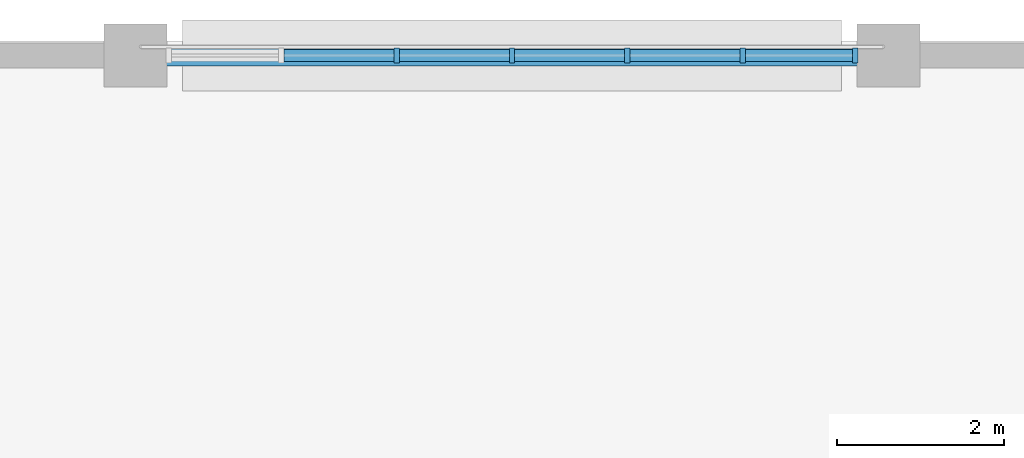
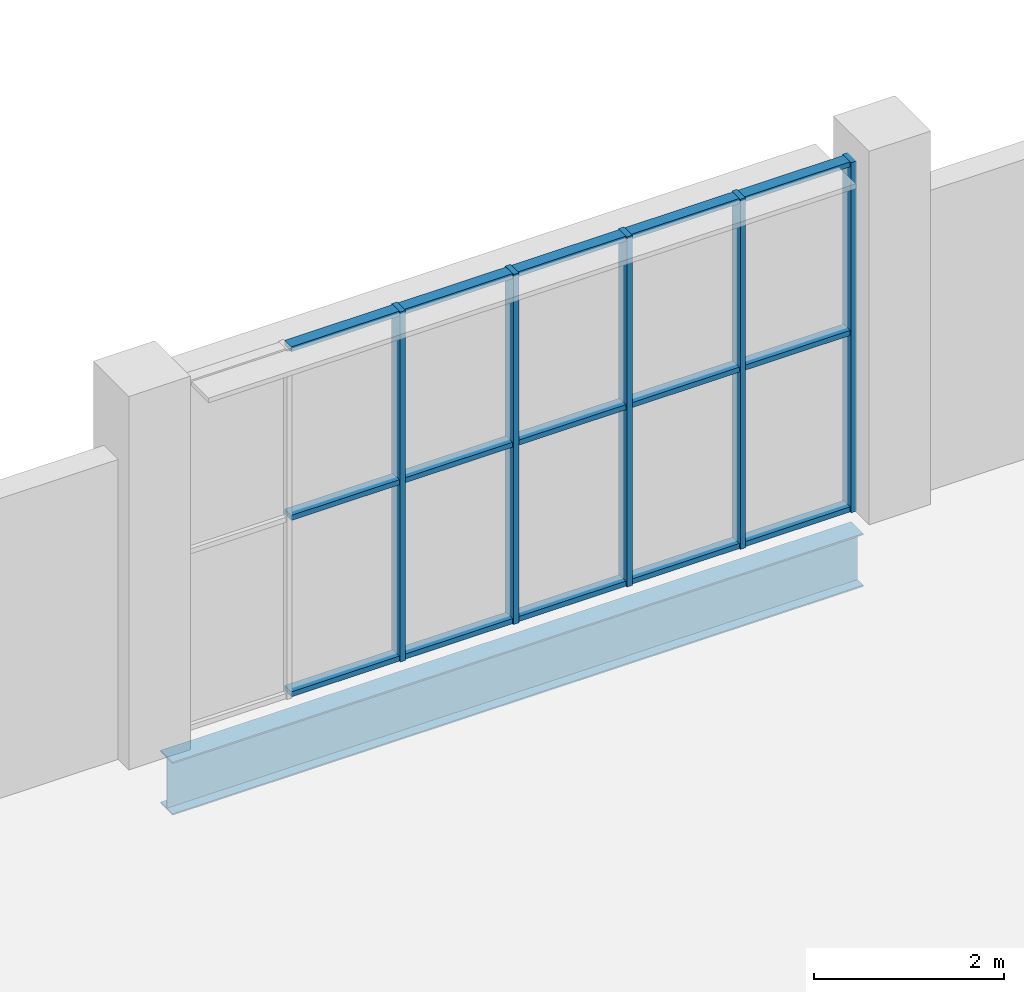
# One storey, part 70 of 179: 20 members, 1 beam, 1 element without a shape of its own.
"""IFC4 building model written with IfcOpenShell, lengths in metres."""

from ifc_helpers import new_model, si_unit, direction, frame, origin, origin_2d, place, context, subcontext, project, spatial, rectangle, i_section, extrude, material, material_profile, profile_set, type_object, element, aggregate, save


model = new_model("IFC4")

# Units and contexts
model_context = context("Model", 3, precision=1e-05, world=origin(), true_north=direction((0.0, 1.0)))
body_context = subcontext(model_context, "Body", "Model", "MODEL_VIEW")
ifc_project = project(units=[si_unit("LENGTHUNIT", "METRE"), si_unit("AREAUNIT", "SQUARE_METRE"), si_unit("VOLUMEUNIT", "CUBIC_METRE"), si_unit("PLANEANGLEUNIT", "RADIAN"), si_unit("MASSUNIT", "GRAM", prefix="KILO")], contexts=[model_context])

# Site, building, storey
site_placement = place(None, origin())
site = spatial("IfcSite", under=ifc_project, at=site_placement, CompositionType="ELEMENT")
building_placement = place(site_placement, origin())
building = spatial("IfcBuilding", under=site, at=building_placement, Name="Zevraka Park Crest Stadium", CompositionType="ELEMENT")
storey_placement = place(building_placement, frame((0.0, 0.0, 10.199951171875)))
storey = spatial("IfcBuildingStorey", under=building, at=storey_placement, Name="L02", CompositionType="ELEMENT", Elevation=10.199951171875)

# Beam
ifc_material_1 = material(Name="Steel S355", Category="steel")
ifc_material_profile_1 = material_profile(ifc_material_1, i_section(OverallWidth=0.253662109375, OverallDepth=0.68359375, WebThickness=0.012451171875, FlangeThickness=0.01904296875, at=origin_2d()), Name="UKB 686x254x140")
ifc_profile_set_1 = profile_set([ifc_material_profile_1], Name="Steel S355")
beam_type = type_object("IfcBeamType", Name="BG05", PredefinedType="BEAM", material=ifc_profile_set_1)
beam_placement = place(storey_placement, frame((179.300048828125, 184.0, -0.629638671875), z_axis=(1.0, 0.0, 0.0), x_axis=(0.0, 1.0, 0.0)))
element("IfcBeam", 1, at=beam_placement, inside=storey, type_object=beam_type, Name="Wing Girder BG05 L02-2021/W", PredefinedType="BEAM", context=body_context, shape_type="SweptSolid", body=[
    extrude(i_section(OverallWidth=0.253662109375, OverallDepth=0.68359375, WebThickness=0.012451171875, FlangeThickness=0.01904296875, at=origin_2d()), origin(), (0.0, 0.0, 1.0), 8.39990234375),
])

# Curtain wall, members
ifc_material_2 = material(Name="Anodised architectural aluminium and laminated safety glass", Category="aluminium")
curtain_wall_type = type_object("IfcCurtainWallType", Name="CW26", PredefinedType="NOTDEFINED", material=ifc_material_2)
curtain_wall_placement = place(storey_placement, origin())
curtain_wall = element("IfcCurtainWall", 2, at=curtain_wall_placement, inside=storey, type_object=curtain_wall_type, Name="Wing Curtain Wall CW26 L02-NGATE-N-4", PredefinedType="NOTDEFINED")
ifc_material_3 = material(Name="Anodised architectural aluminium", Category="aluminium")
ifc_material_profile_2 = material_profile(ifc_material_3, rectangle(XDim=0.179931640625, YDim=0.06494140625, at=origin_2d()), Name="ALU MULLION 180x65")
ifc_profile_set_2 = profile_set([ifc_material_profile_2], Name="Anodised architectural aluminium")
member_type_1 = type_object("IfcMemberType", Name="CM02", PredefinedType="MULLION", material=ifc_profile_set_2)
member_1_placement = place(storey_placement, frame((182.12158203125, 184.0, 0.0), z_axis=(0.0, 0.0, 1.0), x_axis=(0.0, 1.0, 0.0)))
member_1 = element("IfcMember", 3, at=member_1_placement, type_object=member_type_1, Name="CW26 mullion 3", PredefinedType="MULLION", context=body_context, shape_type="SweptSolid", body=[
    extrude(rectangle(XDim=0.179931640625, YDim=0.06494140625, at=origin_2d()), origin(), (0.0, 0.0, 1.0), 4.5),
])
member_2_placement = place(storey_placement, frame((183.5, 184.0, 0.0), z_axis=(0.0, 0.0, 1.0), x_axis=(0.0, 1.0, 0.0)))
member_2 = element("IfcMember", 4, at=member_2_placement, type_object=member_type_1, Name="CW26 mullion 4", PredefinedType="MULLION", context=body_context, shape_type="SweptSolid", body=[
    extrude(rectangle(XDim=0.179931640625, YDim=0.06494140625, at=origin_2d()), origin(), (0.0, 0.0, 1.0), 4.5),
])
member_3_placement = place(storey_placement, frame((184.87841796875, 184.0, 0.0), z_axis=(0.0, 0.0, 1.0), x_axis=(0.0, 1.0, 0.0)))
member_3 = element("IfcMember", 5, at=member_3_placement, type_object=member_type_1, Name="CW26 mullion 5", PredefinedType="MULLION", context=body_context, shape_type="SweptSolid", body=[
    extrude(rectangle(XDim=0.179931640625, YDim=0.06494140625, at=origin_2d()), origin(), (0.0, 0.0, 1.0), 4.5),
])
member_4_placement = place(storey_placement, frame((186.256591796875, 184.0, 0.0), z_axis=(0.0, 0.0, 1.0), x_axis=(0.0, 1.0, 0.0)))
member_4 = element("IfcMember", 6, at=member_4_placement, type_object=member_type_1, Name="CW26 mullion 6", PredefinedType="MULLION", context=body_context, shape_type="SweptSolid", body=[
    extrude(rectangle(XDim=0.179931640625, YDim=0.06494140625, at=origin_2d()), origin(), (0.0, 0.0, 1.0), 4.5),
])
member_5_placement = place(storey_placement, frame((187.6025390625, 184.0, 0.0), z_axis=(0.0, 0.0, 1.0), x_axis=(0.0, 1.0, 0.0)))
member_5 = element("IfcMember", 7, at=member_5_placement, type_object=member_type_1, Name="CW26 mullion 7", PredefinedType="MULLION", context=body_context, shape_type="SweptSolid", body=[
    extrude(rectangle(XDim=0.179931640625, YDim=0.06494140625, at=origin_2d()), origin(), (0.0, 0.0, 1.0), 4.5),
])
ifc_material_4 = material(Name="Anodised architectural aluminium", Category="aluminium")
ifc_material_profile_3 = material_profile(ifc_material_4, rectangle(XDim=0.139892578125, YDim=0.06494140625, at=origin_2d()), Name="ALU TRANSOM 140x65")
ifc_profile_set_3 = profile_set([ifc_material_profile_3], Name="Anodised architectural aluminium")
member_type_2 = type_object("IfcMemberType", Name="CT02", PredefinedType="USERDEFINED", material=ifc_profile_set_3)
member_6_placement = place(storey_placement, frame((180.77587890625, 184.0, 0.032470703125), z_axis=(1.0, 0.0, 0.0), x_axis=(0.0, 1.0, 0.0)))
member_6 = element("IfcMember", 8, at=member_6_placement, type_object=member_type_2, Name="CW26 transom 2.1", ObjectType="TRANSOM", PredefinedType="USERDEFINED", context=body_context, shape_type="SweptSolid", body=[
    extrude(rectangle(XDim=0.139892578125, YDim=0.06494140625, at=origin_2d()), origin(), (0.0, 0.0, 1.0), 1.313232421875),
])
member_7_placement = place(storey_placement, frame((180.77587890625, 184.0, 2.300048828125), z_axis=(1.0, 0.0, 0.0), x_axis=(0.0, 1.0, 0.0)))
member_7 = element("IfcMember", 9, at=member_7_placement, type_object=member_type_2, Name="CW26 transom 2.2", ObjectType="TRANSOM", PredefinedType="USERDEFINED", context=body_context, shape_type="SweptSolid", body=[
    extrude(rectangle(XDim=0.139892578125, YDim=0.06494140625, at=origin_2d()), origin(), (0.0, 0.0, 1.0), 1.313232421875),
])
member_8_placement = place(storey_placement, frame((180.77587890625, 184.0, 4.467529296875), z_axis=(1.0, 0.0, 0.0), x_axis=(0.0, 1.0, 0.0)))
member_8 = element("IfcMember", 10, at=member_8_placement, type_object=member_type_2, Name="CW26 transom 2.3", ObjectType="TRANSOM", PredefinedType="USERDEFINED", context=body_context, shape_type="SweptSolid", body=[
    extrude(rectangle(XDim=0.139892578125, YDim=0.06494140625, at=origin_2d()), origin(), (0.0, 0.0, 1.0), 1.313232421875),
])
member_9_placement = place(storey_placement, frame((182.154052734375, 184.0, 0.032470703125), z_axis=(1.0, 0.0, 0.0), x_axis=(0.0, 1.0, 0.0)))
member_9 = element("IfcMember", 11, at=member_9_placement, type_object=member_type_2, Name="CW26 transom 3.1", ObjectType="TRANSOM", PredefinedType="USERDEFINED", context=body_context, shape_type="SweptSolid", body=[
    extrude(rectangle(XDim=0.139892578125, YDim=0.06494140625, at=origin_2d()), origin(), (0.0, 0.0, 1.0), 1.3134765625),
])
member_10_placement = place(storey_placement, frame((182.154052734375, 184.0, 2.300048828125), z_axis=(1.0, 0.0, 0.0), x_axis=(0.0, 1.0, 0.0)))
member_10 = element("IfcMember", 12, at=member_10_placement, type_object=member_type_2, Name="CW26 transom 3.2", ObjectType="TRANSOM", PredefinedType="USERDEFINED", context=body_context, shape_type="SweptSolid", body=[
    extrude(rectangle(XDim=0.139892578125, YDim=0.06494140625, at=origin_2d()), origin(), (0.0, 0.0, 1.0), 1.3134765625),
])
member_11_placement = place(storey_placement, frame((182.154052734375, 184.0, 4.467529296875), z_axis=(1.0, 0.0, 0.0), x_axis=(0.0, 1.0, 0.0)))
member_11 = element("IfcMember", 13, at=member_11_placement, type_object=member_type_2, Name="CW26 transom 3.3", ObjectType="TRANSOM", PredefinedType="USERDEFINED", context=body_context, shape_type="SweptSolid", body=[
    extrude(rectangle(XDim=0.139892578125, YDim=0.06494140625, at=origin_2d()), origin(), (0.0, 0.0, 1.0), 1.3134765625),
])
member_12_placement = place(storey_placement, frame((183.532470703125, 184.0, 0.032470703125), z_axis=(1.0, 0.0, 0.0), x_axis=(0.0, 1.0, 0.0)))
member_12 = element("IfcMember", 14, at=member_12_placement, type_object=member_type_2, Name="CW26 transom 4.1", ObjectType="TRANSOM", PredefinedType="USERDEFINED", context=body_context, shape_type="SweptSolid", body=[
    extrude(rectangle(XDim=0.139892578125, YDim=0.06494140625, at=origin_2d()), origin(), (0.0, 0.0, 1.0), 1.3134765625),
])
member_13_placement = place(storey_placement, frame((183.532470703125, 184.0, 2.300048828125), z_axis=(1.0, 0.0, 0.0), x_axis=(0.0, 1.0, 0.0)))
member_13 = element("IfcMember", 15, at=member_13_placement, type_object=member_type_2, Name="CW26 transom 4.2", ObjectType="TRANSOM", PredefinedType="USERDEFINED", context=body_context, shape_type="SweptSolid", body=[
    extrude(rectangle(XDim=0.139892578125, YDim=0.06494140625, at=origin_2d()), origin(), (0.0, 0.0, 1.0), 1.3134765625),
])
member_14_placement = place(storey_placement, frame((183.532470703125, 184.0, 4.467529296875), z_axis=(1.0, 0.0, 0.0), x_axis=(0.0, 1.0, 0.0)))
member_14 = element("IfcMember", 16, at=member_14_placement, type_object=member_type_2, Name="CW26 transom 4.3", ObjectType="TRANSOM", PredefinedType="USERDEFINED", context=body_context, shape_type="SweptSolid", body=[
    extrude(rectangle(XDim=0.139892578125, YDim=0.06494140625, at=origin_2d()), origin(), (0.0, 0.0, 1.0), 1.3134765625),
])
member_15_placement = place(storey_placement, frame((184.910888671875, 184.0, 0.032470703125), z_axis=(1.0, 0.0, 0.0), x_axis=(0.0, 1.0, 0.0)))
member_15 = element("IfcMember", 17, at=member_15_placement, type_object=member_type_2, Name="CW26 transom 5.1", ObjectType="TRANSOM", PredefinedType="USERDEFINED", context=body_context, shape_type="SweptSolid", body=[
    extrude(rectangle(XDim=0.139892578125, YDim=0.06494140625, at=origin_2d()), origin(), (0.0, 0.0, 1.0), 1.313232421875),
])
member_16_placement = place(storey_placement, frame((184.910888671875, 184.0, 2.300048828125), z_axis=(1.0, 0.0, 0.0), x_axis=(0.0, 1.0, 0.0)))
member_16 = element("IfcMember", 18, at=member_16_placement, type_object=member_type_2, Name="CW26 transom 5.2", ObjectType="TRANSOM", PredefinedType="USERDEFINED", context=body_context, shape_type="SweptSolid", body=[
    extrude(rectangle(XDim=0.139892578125, YDim=0.06494140625, at=origin_2d()), origin(), (0.0, 0.0, 1.0), 1.313232421875),
])
member_17_placement = place(storey_placement, frame((184.910888671875, 184.0, 4.467529296875), z_axis=(1.0, 0.0, 0.0), x_axis=(0.0, 1.0, 0.0)))
member_17 = element("IfcMember", 19, at=member_17_placement, type_object=member_type_2, Name="CW26 transom 5.3", ObjectType="TRANSOM", PredefinedType="USERDEFINED", context=body_context, shape_type="SweptSolid", body=[
    extrude(rectangle(XDim=0.139892578125, YDim=0.06494140625, at=origin_2d()), origin(), (0.0, 0.0, 1.0), 1.313232421875),
])
member_18_placement = place(storey_placement, frame((186.2890625, 184.0, 0.032470703125), z_axis=(1.0, 0.0, 0.0), x_axis=(0.0, 1.0, 0.0)))
member_18 = element("IfcMember", 20, at=member_18_placement, type_object=member_type_2, Name="CW26 transom 6.1", ObjectType="TRANSOM", PredefinedType="USERDEFINED", context=body_context, shape_type="SweptSolid", body=[
    extrude(rectangle(XDim=0.139892578125, YDim=0.06494140625, at=origin_2d()), origin(), (0.0, 0.0, 1.0), 1.281005859375),
])
member_19_placement = place(storey_placement, frame((186.2890625, 184.0, 2.300048828125), z_axis=(1.0, 0.0, 0.0), x_axis=(0.0, 1.0, 0.0)))
member_19 = element("IfcMember", 21, at=member_19_placement, type_object=member_type_2, Name="CW26 transom 6.2", ObjectType="TRANSOM", PredefinedType="USERDEFINED", context=body_context, shape_type="SweptSolid", body=[
    extrude(rectangle(XDim=0.139892578125, YDim=0.06494140625, at=origin_2d()), origin(), (0.0, 0.0, 1.0), 1.281005859375),
])
member_20_placement = place(storey_placement, frame((186.2890625, 184.0, 4.467529296875), z_axis=(1.0, 0.0, 0.0), x_axis=(0.0, 1.0, 0.0)))
member_20 = element("IfcMember", 22, at=member_20_placement, type_object=member_type_2, Name="CW26 transom 6.3", ObjectType="TRANSOM", PredefinedType="USERDEFINED", context=body_context, shape_type="SweptSolid", body=[
    extrude(rectangle(XDim=0.139892578125, YDim=0.06494140625, at=origin_2d()), origin(), (0.0, 0.0, 1.0), 1.281005859375),
])
aggregate(curtain_wall, [member_1, member_2, member_3, member_4, member_5, member_6, member_7, member_8, member_9, member_10, member_11, member_12, member_13, member_14, member_15, member_16, member_17, member_18, member_19, member_20])

save(model, "model.ifc")
